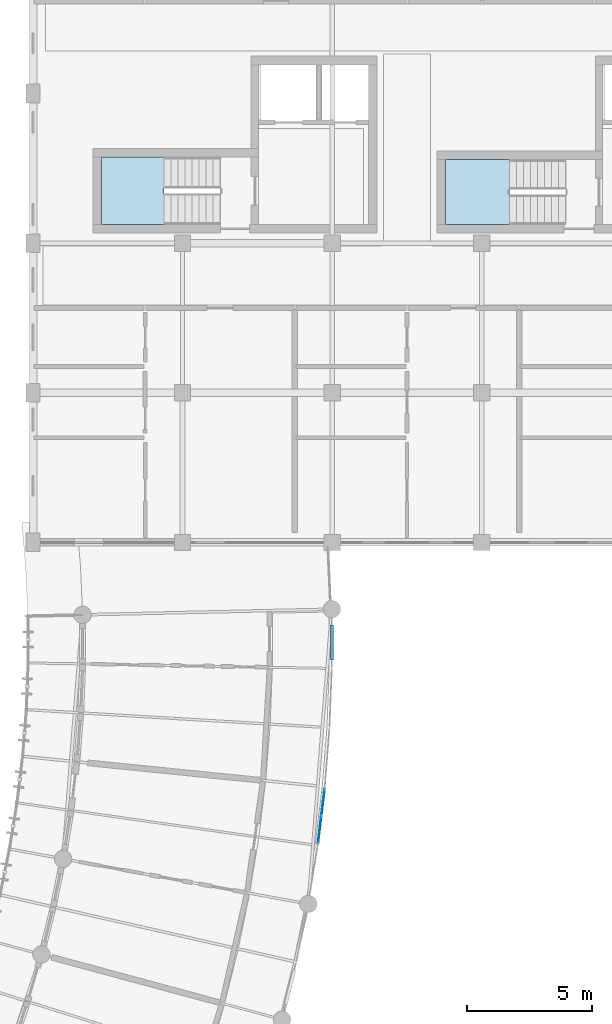
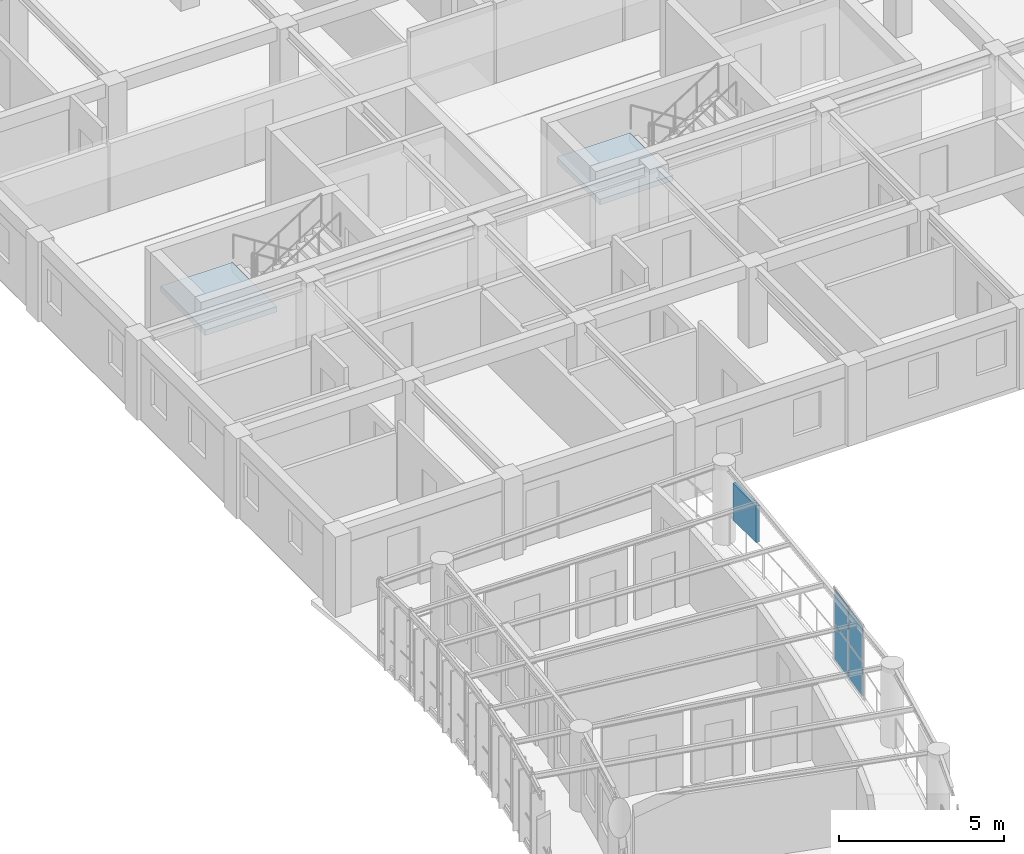
# One storey, part 47 of 100: 5 plates, 2 slabs, 3 elements without a shape of their own.
"""IFC4 building model written with IfcOpenShell, lengths in metres."""

import ifcopenshell
import ifcopenshell.guid

model = None  # the IFC model being written
_history = None  # IfcOwnerHistory: only IFC2X3 demands one
_inside = {}  # id of a spatial element -> (the spatial element, [elements in it])
_under = {}  # id of a project, library or spatial element -> (it, [spatial elements below it])
_declared = {}  # id of a project -> (the project, [libraries it declares])
_typed = {}  # id of a type object -> (the type object, [elements of that type])
_made_of = {}  # id of a material, layer set ... -> (it, [elements and type objects made of it])


def new_model(schema):
    """Start an empty IFC model of exactly this schema.

    Asked for "IFC4X3", IfcOpenShell would pick the latest addendum, in which some entities
    have other attributes; the version numbers below select the first issue.
    IFC2X3 requires an IfcOwnerHistory on every rooted entity: one is made here for all.
    """
    global model, _history
    if schema == "IFC4X3":
        model = ifcopenshell.file(schema_version=(4, 3, 0, 0))
    else:
        model = ifcopenshell.file(schema=schema)
    _inside.clear()
    _under.clear()
    _declared.clear()
    _typed.clear()
    _made_of.clear()
    _history = None
    if model.schema == "IFC2X3":
        org = make("IfcOrganization", Name="unknown")
        user = make(
            "IfcPersonAndOrganization",
            ThePerson=make("IfcPerson", FamilyName="unknown"),
            TheOrganization=org,
        )
        app = make(
            "IfcApplication",
            ApplicationDeveloper=org,
            Version="unknown",
            ApplicationFullName="unknown",
            ApplicationIdentifier="unknown",
        )
        _history = make(
            "IfcOwnerHistory",
            OwningUser=user,
            OwningApplication=app,
            ChangeAction="ADDED",
            CreationDate=0,
        )
    return model


def make(cls, **values):
    """One entity of the class cls with the attributes given. An attribute that is None is left unset."""
    return model.create_entity(
        cls, **{name: value for name, value in values.items() if value is not None}
    )


def rooted(cls, **values):
    """An entity with a GlobalId (a new one), such as an element, a storey or a relation."""
    return make(cls, GlobalId=ifcopenshell.guid.new(), OwnerHistory=_history, **values)


def si_unit(unit_type, name, prefix=None):
    """IfcSIUnit, for example si_unit("LENGTHUNIT", "METRE", prefix="MILLI")."""
    return make("IfcSIUnit", UnitType=unit_type, Prefix=prefix, Name=name)


def assignment(units):
    """IfcUnitAssignment: the units of a project."""
    return None if units is None else make("IfcUnitAssignment", Units=units)


def point(xyz):
    """IfcCartesianPoint."""
    return None if xyz is None else make("IfcCartesianPoint", Coordinates=xyz)


def direction(xyz):
    """IfcDirection."""
    return None if xyz is None else make("IfcDirection", DirectionRatios=xyz)


def frame(location, z_axis=None, x_axis=None):
    """IfcAxis2Placement3D, a coordinate frame: its origin and axes. An axis left out is left unset."""
    return make(
        "IfcAxis2Placement3D",
        Location=point(location),
        Axis=direction(z_axis),
        RefDirection=direction(x_axis),
    )


def frame_2d(location, x_axis=None):
    """IfcAxis2Placement2D, a coordinate frame in the plane: its origin and x axis."""
    return make(
        "IfcAxis2Placement2D", Location=point(location), RefDirection=direction(x_axis)
    )


def origin():
    """The frame at (0, 0, 0) with its axes left unset."""
    return frame((0.0, 0.0, 0.0))


def origin_2d():
    """The frame at (0, 0) in the plane with its x axis left unset."""
    return frame_2d((0.0, 0.0))


def place(relative_to, where):
    """IfcLocalPlacement: puts the frame where relative to a parent placement (None: the world)."""
    return make(
        "IfcLocalPlacement", PlacementRelTo=relative_to, RelativePlacement=where
    )


def context(
    kind, dimensions, precision=None, world=None, true_north=None, identifier=None
):
    """IfcGeometricRepresentationContext, for example the 3D "Model" context."""
    return make(
        "IfcGeometricRepresentationContext",
        ContextIdentifier=identifier,
        ContextType=kind,
        CoordinateSpaceDimension=dimensions,
        Precision=precision,
        WorldCoordinateSystem=world,
        TrueNorth=true_north,
    )


def subcontext(parent, identifier, kind, view, scale=None):
    """IfcGeometricRepresentationSubContext, for example "Body" below "Model"."""
    return make(
        "IfcGeometricRepresentationSubContext",
        ContextIdentifier=identifier,
        ContextType=kind,
        ParentContext=parent,
        TargetScale=scale,
        TargetView=view,
    )


def project(units=None, contexts=None):
    """IfcProject with its units and contexts."""
    return rooted(
        "IfcProject",
        Name="project",
        RepresentationContexts=contexts,
        UnitsInContext=assignment(units),
    )


def spatial(cls, under=None, at=None, **own):
    """A site, building, storey or space (cls), placed at a placement, below another one or the project."""
    s = rooted(cls, ObjectPlacement=at, **own)
    if under is not None:
        _under.setdefault(under.id(), (under, []))[1].append(s)
    return s


def polyline(points):
    """IfcPolyline through the points."""
    return make("IfcPolyline", Points=[point(p) for p in points])


def profile(cls, at=None, kind="AREA", **sizes):
    """A parametric profile (cls). Its sizes go by their IFC names, for example OverallWidth=200.0."""
    return make(cls, ProfileType=kind, Position=at, **sizes)


def rectangle(**sizes):
    """IfcRectangleProfileDef."""
    return profile("IfcRectangleProfileDef", **sizes)


def outline(outer, holes=None, kind="AREA"):
    """IfcArbitraryClosedProfileDef: a profile drawn as a closed curve; with holes, ...WithVoids."""
    if holes is None:
        return make("IfcArbitraryClosedProfileDef", ProfileType=kind, OuterCurve=outer)
    return make(
        "IfcArbitraryProfileDefWithVoids",
        ProfileType=kind,
        OuterCurve=outer,
        InnerCurves=holes,
    )


def extrude(swept, where, along, depth):
    """IfcExtrudedAreaSolid: the profile swept, set in the frame where, extruded along a direction by depth."""
    return make(
        "IfcExtrudedAreaSolid",
        SweptArea=swept,
        Position=where,
        ExtrudedDirection=direction(along),
        Depth=depth,
    )


def shape(context_of_items, identifier, shape_type, items):
    """IfcShapeRepresentation: the items that make up one representation, for example the "Body"."""
    return make(
        "IfcShapeRepresentation",
        ContextOfItems=context_of_items,
        RepresentationIdentifier=identifier,
        RepresentationType=shape_type,
        Items=items,
    )


def material(Name=None, Category=None):
    """IfcMaterial."""
    return make("IfcMaterial", Name=Name, Category=Category)


def layer(
    of_material, thickness, ventilated=None, Name=None, Category=None, Priority=None
):
    """IfcMaterialLayer: one layer of a wall or slab, of a material (None: an air gap)."""
    return make(
        "IfcMaterialLayer",
        Material=of_material,
        LayerThickness=thickness,
        IsVentilated=ventilated,
        Name=Name,
        Category=Category,
        Priority=Priority,
    )


def layer_set(layers, Name=None):
    """IfcMaterialLayerSet."""
    return make("IfcMaterialLayerSet", MaterialLayers=layers, LayerSetName=Name)


def made_of(thing, what):
    """Note that an element or type object is made of a material, layer set ...; save() writes the relation."""
    if what is not None:
        _made_of.setdefault(what.id(), (what, []))[1].append(thing)
    return thing


def type_object(cls, material=None, **own):
    """A type object (cls), such as IfcWallType, which elements share."""
    return made_of(rooted(cls, **own), material)


def element(
    cls,
    number,
    at=None,
    inside=None,
    cuts=None,
    type_object=None,
    material=None,
    context=None,
    identifier="Body",
    shape_type=None,
    held_by="IfcProductDefinitionShape",
    body=None,
    shapes=None,
    **own,
):
    """One element of the class cls, such as IfcWall. Its Tag is "e" and its number.

    at: its placement. inside: the storey or other place that contains it. cuts: it is an
    opening in that element (IfcRelVoidsElement). A single representation is given by context,
    identifier, shape_type and body (its items); several are given by shapes. held_by: the class
    of the entity that holds the representations. save() writes the other relations.
    """
    e = rooted(cls, Tag="e%d" % number, ObjectPlacement=at, **own)
    if body is not None:
        shapes = [shape(context, identifier, shape_type, body)]
    if shapes is not None:
        e.Representation = make(held_by, Representations=shapes)
    if inside is not None:
        _inside.setdefault(inside.id(), (inside, []))[1].append(e)
    if cuts is not None:
        rooted(
            "IfcRelVoidsElement", RelatingBuildingElement=cuts, RelatedOpeningElement=e
        )
    if type_object is not None:
        _typed.setdefault(type_object.id(), (type_object, []))[1].append(e)
    return made_of(e, material)


def aggregate(whole, parts):
    """IfcRelAggregates: a whole, such as a stair, and the parts it consists of."""
    return rooted("IfcRelAggregates", RelatingObject=whole, RelatedObjects=parts)


def save(model, path):
    """Write the relations noted so far, then the file.

    IfcRelAggregates (storeys below a building ...), IfcRelContainedInSpatialStructure (elements
    in a storey), IfcRelDefinesByType, IfcRelAssociatesMaterial and IfcRelDeclares: one each for
    every whole, place, type object, material and project.
    """
    for whole, parts in _under.values():
        aggregate(whole, parts)
    for where, things in _inside.values():
        rooted(
            "IfcRelContainedInSpatialStructure",
            RelatedElements=things,
            RelatingStructure=where,
        )
    for kind, things in _typed.values():
        rooted("IfcRelDefinesByType", RelatedObjects=things, RelatingType=kind)
    for what, things in _made_of.values():
        rooted("IfcRelAssociatesMaterial", RelatedObjects=things, RelatingMaterial=what)
    for by, libraries in _declared.values():
        rooted("IfcRelDeclares", RelatingContext=by, RelatedDefinitions=libraries)
    model.write(path)


model = new_model("IFC4")

# Units and contexts
model_context = context("Model", 3, precision=1e-05, world=origin(), true_north=direction((0.0, 1.0)))
body_context = subcontext(model_context, "Body", "Model", "MODEL_VIEW")
ifc_project = project(units=[si_unit("LENGTHUNIT", "METRE"), si_unit("AREAUNIT", "SQUARE_METRE"), si_unit("VOLUMEUNIT", "CUBIC_METRE"), si_unit("PLANEANGLEUNIT", "RADIAN"), si_unit("MASSUNIT", "GRAM", prefix="KILO"), si_unit("POWERUNIT", "WATT"), si_unit("THERMODYNAMICTEMPERATUREUNIT", "KELVIN")], contexts=[model_context])

# Site, building, storey
site_placement = place(None, origin())
site = spatial("IfcSite", under=ifc_project, at=site_placement, CompositionType="ELEMENT")
building_placement = place(site_placement, origin())
building = spatial("IfcBuilding", under=site, at=building_placement, Name="Ruvembo Vaulted Housing Court", CompositionType="ELEMENT")
storey_placement = place(building_placement, frame((0.0, 0.0, 10.89990234375)))
storey = spatial("IfcBuildingStorey", under=building, at=storey_placement, Name="L03", CompositionType="ELEMENT", Elevation=10.89990234375)

# Curtain wall, plates
ifc_material_1 = material(Name="Anodised Aluminium and Solar-Control Glass", Category="aluminium")
ifc_layer_1 = layer(ifc_material_1, 0.1201171875, Name="Anodised Aluminium and Solar-Control Glass")
ifc_layer_set_1 = layer_set([ifc_layer_1], Name="Anodised Aluminium and Solar-Control Glass")
curtain_wall_type = type_object("IfcCurtainWallType", Name="CW-SCOOP-GAL", PredefinedType="NOTDEFINED", material=ifc_layer_set_1)
curtain_wall_placement = place(storey_placement, origin())
curtain_wall = element("IfcCurtainWall", 1, at=curtain_wall_placement, inside=storey, type_object=curtain_wall_type, Name="L03 Curtain Wall CW-L03-0020", PredefinedType="NOTDEFINED")
ifc_material_2 = material(Name="Solar-Control Laminated Insulating Glass", Category="glass")
ifc_layer_2 = layer(ifc_material_2, 0.028076171875, Name="Solar-Control Laminated Insulating Glass")
ifc_layer_set_2 = layer_set([ifc_layer_2], Name="Solar-Control Laminated Insulating Glass")
plate_type_1 = type_object("IfcPlateType", Name="CW-PANEL-GLAZED", PredefinedType="CURTAIN_PANEL", material=ifc_layer_set_2)
plate_1_placement = place(storey_placement, frame((59.49951171875, 66.47021484375, 0.06005859375), z_axis=(0.0, 0.0, 1.0), x_axis=(0.12040089337, 0.992725352187, 0.0)))
plate_1 = element("IfcPlate", 2, at=plate_1_placement, type_object=plate_type_1, Name="CW6 panel 1.1", PredefinedType="CURTAIN_PANEL", context=body_context, shape_type="SweptSolid", body=[
    extrude(rectangle(XDim=1.04833984375, YDim=0.028076171875, at=origin_2d()), origin(), (0.0, 0.0, 1.0), 1.259033203125),
])
plate_2_placement = place(storey_placement, frame((59.49951171875, 66.47021484375, 1.37890625), z_axis=(0.0, 0.0, 1.0), x_axis=(0.12040089337, 0.992725352187, 0.0)))
plate_2 = element("IfcPlate", 3, at=plate_2_placement, type_object=plate_type_1, Name="CW6 panel 1.2", PredefinedType="CURTAIN_PANEL", context=body_context, shape_type="SweptSolid", body=[
    extrude(rectangle(XDim=1.04833984375, YDim=0.028076171875, at=origin_2d()), origin(), (0.0, 0.0, 1.0), 1.259033203125),
])
plate_3_placement = place(storey_placement, frame((59.633056640625, 67.570556640625, 0.06005859375), z_axis=(0.0, 0.0, 1.0), x_axis=(0.12040089337, 0.992725352187, 0.0)))
plate_3 = element("IfcPlate", 4, at=plate_3_placement, type_object=plate_type_1, Name="CW6 panel 2.1", PredefinedType="CURTAIN_PANEL", context=body_context, shape_type="SweptSolid", body=[
    extrude(rectangle(XDim=1.04833984375, YDim=0.028076171875, at=origin_2d()), origin(), (0.0, 0.0, 1.0), 1.259033203125),
])
plate_4_placement = place(storey_placement, frame((59.633056640625, 67.570556640625, 1.37890625), z_axis=(0.0, 0.0, 1.0), x_axis=(0.12040089337, 0.992725352187, 0.0)))
plate_4 = element("IfcPlate", 5, at=plate_4_placement, type_object=plate_type_1, Name="CW6 panel 2.2", PredefinedType="CURTAIN_PANEL", context=body_context, shape_type="SweptSolid", body=[
    extrude(rectangle(XDim=1.04833984375, YDim=0.028076171875, at=origin_2d()), origin(), (0.0, 0.0, 1.0), 1.259033203125),
])
aggregate(curtain_wall, [plate_1, plate_2, plate_3, plate_4])

# Plate
ifc_material_3 = material(Name="Perforated Glazed Ceramic Cobogo Block", Category="ceramic")
ifc_layer_3 = layer(ifc_material_3, 0.1201171875, Name="Perforated Glazed Ceramic Cobogo Block")
ifc_layer_set_3 = layer_set([ifc_layer_3], Name="Perforated Glazed Ceramic Cobogo Block")
plate_type_2 = type_object("IfcPlateType", Name="PL-COBOGO-120", PredefinedType="USERDEFINED", material=ifc_layer_set_3)
plate_5_placement = place(storey_placement, frame((59.988037109375, 73.98193359375, 1.1201171875), z_axis=(0.0, 0.0, 1.0), x_axis=(-0.002268926081, 0.999997425984, 0.0)))
element("IfcPlate", 6, at=plate_5_placement, inside=storey, type_object=plate_type_2, Name="Scoop SC1 L03 Ceramic Cobogo Screen #18", ObjectType="COBOGO_PANEL", PredefinedType="USERDEFINED", context=body_context, shape_type="SweptSolid", body=[
    extrude(rectangle(XDim=1.39990234375, YDim=0.1201171875, at=origin_2d()), origin(), (0.0, 0.0, 1.0), 1.360107421875),
])

# Stair, slab
ifc_material_4 = material(Name="Concrete C35/45", Category="concrete")
stair_type_1 = type_object("IfcStairType", Name="STR-CORE-1250", PredefinedType="HALF_TURN_STAIR", material=ifc_material_4)
stair_1_placement = place(storey_placement, origin())
stair_1 = element("IfcStair", 7, at=stair_1_placement, inside=storey, type_object=stair_type_1, Name="L03 Protected Exit Stair ST-B1", PredefinedType="HALF_TURN_STAIR")
ifc_material_5 = material(Name="Concrete C30/37", Category="concrete")
ifc_layer_4 = layer(ifc_material_5, 0.201904296875, Name="Concrete C30/37")
ifc_layer_set_4 = layer_set([ifc_layer_4], Name="Concrete C30/37")
slab_type = type_object("IfcSlabType", Name="SL-LAND-202", PredefinedType="LANDING", material=ifc_layer_set_4)
slab_1_placement = place(storey_placement, frame((0.0, 0.0, 1.400146484375)))
slab_1 = element("IfcSlab", 8, at=slab_1_placement, type_object=slab_type, Name="ST-B1 landing 1", PredefinedType="LANDING", context=body_context, shape_type="SweptSolid", body=[
    extrude(outline(polyline([(53.260009765625, 93.449951171875), (50.75, 93.449951171875), (50.75, 90.75), (53.260009765625, 90.75), (53.260009765625, 93.449951171875)])), origin(), (0.0, 0.0, 1.0), 0.199951171875),
])
aggregate(stair_1, [slab_1])

stair_type_2 = type_object("IfcStairType", Name="STR-CORE-1200", PredefinedType="HALF_TURN_STAIR", material=ifc_material_4)
stair_2_placement = place(storey_placement, origin())
stair_2 = element("IfcStair", 9, at=stair_2_placement, inside=storey, type_object=stair_type_2, Name="L03 Protected Exit Stair ST-B2", PredefinedType="HALF_TURN_STAIR")
slab_2_placement = place(storey_placement, frame((0.0, 0.0, 1.400146484375)))
slab_2 = element("IfcSlab", 10, at=slab_2_placement, type_object=slab_type, Name="ST-B2 landing 1", PredefinedType="LANDING", context=body_context, shape_type="SweptSolid", body=[
    extrude(outline(polyline([(67.110107421875, 93.35009765625), (64.550048828125, 93.35009765625), (64.550048828125, 90.75), (67.110107421875, 90.75), (67.110107421875, 93.35009765625)])), origin(), (0.0, 0.0, 1.0), 0.199951171875),
])
aggregate(stair_2, [slab_2])

save(model, "model.ifc")
